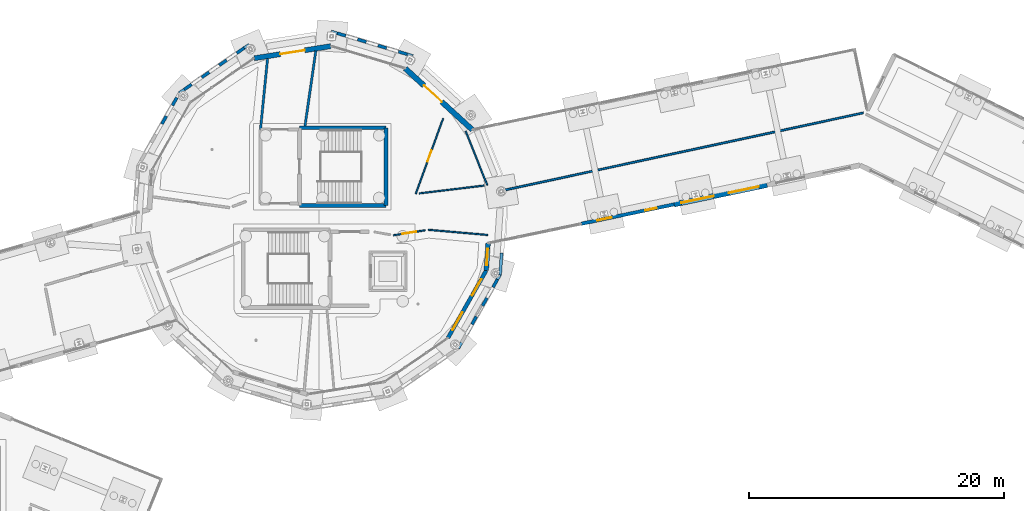
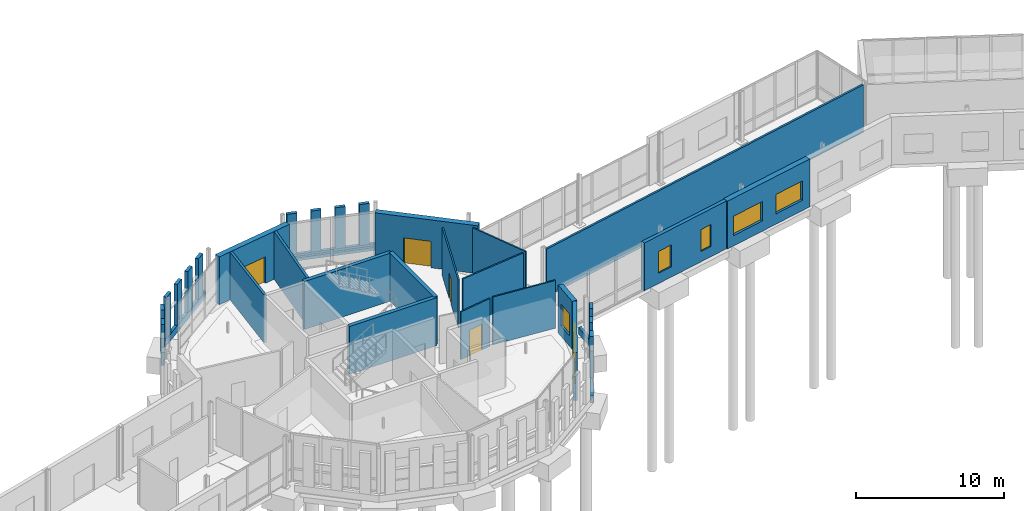
# One storey, part 87 of 113: 34 walls, 7 windows, 4 doors, 11 openings.
"""IFC4 building model written with IfcOpenShell, lengths in metres."""

from ifc_helpers import new_model, si_unit, direction, frame, frame_2d, origin, place, context, subcontext, project, spatial, rectangle, extrude, material, layer, layer_set, type_object, element, fill, save


model = new_model("IFC4")

# Units and contexts
model_context = context("Model", 3, precision=1e-05, world=origin(), true_north=direction((0.0, 1.0)))
body_context = subcontext(model_context, "Body", "Model", "MODEL_VIEW")
ifc_project = project(units=[si_unit("LENGTHUNIT", "METRE"), si_unit("AREAUNIT", "SQUARE_METRE"), si_unit("VOLUMEUNIT", "CUBIC_METRE"), si_unit("PLANEANGLEUNIT", "RADIAN"), si_unit("MASSUNIT", "GRAM", prefix="KILO")], contexts=[model_context])

# Site, building, storey
site_placement = place(None, origin())
site = spatial("IfcSite", under=ifc_project, at=site_placement, CompositionType="ELEMENT")
building_placement = place(site_placement, origin())
building = spatial("IfcBuilding", under=site, at=building_placement, Name="Wrenclough Park School", CompositionType="ELEMENT")
storey_placement = place(building_placement, origin())
storey = spatial("IfcBuildingStorey", under=building, at=storey_placement, Name="L00", CompositionType="ELEMENT", Elevation=0.0)

# Walls
ifc_material_1 = material(Name="Perforated open-bond Staffordshire and Manchester brick screen pier", Category="masonry")
ifc_layer_1 = layer(ifc_material_1, 0.2451171875)
ifc_layer_set_1 = layer_set([ifc_layer_1], Name="Perforated open-bond Staffordshire and Manchester brick screen pier")
wall_type_1 = type_object("IfcWallType", Name="ENV-BS-PR245", PredefinedType="ELEMENTEDWALL", material=ifc_layer_set_1)
for number, where, z_axis, x_axis, name in (
    (1, (89.88720703125, 121.512939453125, 0.550048828125), (0.0, 0.0, 1.0), (-0.957730379015, 0.287667379297, 0.0), "D4 L00 perforated brick screen pier 0105"),
    (2, (88.288818359375, 121.992919921875, 0.550048828125), (0.0, 0.0, 1.0), (-0.957730379015, 0.287667379297, 0.0), "D4 L00 perforated brick screen pier 0106"),
    (3, (86.6904296875, 122.472900390625, 0.550048828125), (0.0, 0.0, 1.0), (-0.957826285221, 0.287347885566, 0.0), "D4 L00 perforated brick screen pier 0107"),
    (4, (85.092041015625, 122.952880859375, 0.550048828125), (0.0, 0.0, 1.0), (-0.957826285221, 0.287347885566, 0.0), "D4 L00 perforated brick screen pier 0108"),
    (5, (77.120361328125, 121.998046875, 0.550048828125), (0.0, 0.0, 1.0), (-0.822004061083, -0.569481627064, 0.0), "D4 L00 perforated brick screen pier 0109"),
    (6, (75.748291015625, 121.047607421875, 0.550048828125), (0.0, 0.0, 1.0), (-0.822004061083, -0.569481627064, 0.0), "D4 L00 perforated brick screen pier 0110"),
):
    element("IfcWall", number, at=place(storey_placement, frame(where, z_axis=z_axis, x_axis=x_axis)), inside=storey, type_object=wall_type_1, Name=name, PredefinedType="ELEMENTEDWALL", context=body_context, shape_type="SweptSolid", body=[
        extrude(rectangle(XDim=0.700927734375, YDim=0.2451171875, at=frame_2d((0.3505859375, 0.0))), origin(), (0.0, 0.0, 1.0), 3.389892578125),
    ])
wall_1_placement = place(storey_placement, frame((74.376708984375, 120.097412109375, 0.550048828125), z_axis=(0.0, 0.0, 1.0), x_axis=(-0.821953993254, -0.569553889438, 0.0)))
element("IfcWall", 7, at=wall_1_placement, inside=storey, type_object=wall_type_1, Name="D4 L00 perforated brick screen pier 0111", PredefinedType="ELEMENTEDWALL", context=body_context, shape_type="SweptSolid", body=[
    extrude(rectangle(XDim=0.701171875, YDim=0.2451171875, at=frame_2d((0.3505859375, 0.0))), origin(), (0.0, 0.0, 1.0), 3.389892578125),
])
for number, where, z_axis, x_axis, name in (
    (8, (73.004638671875, 119.14697265625, 0.550048828125), (0.0, 0.0, 1.0), (-0.822004061083, -0.569481627064, 0.0), "D4 L00 perforated brick screen pier 0112"),
    (9, (71.845947265625, 118.1103515625, 0.550048828125), (0.0, 0.0, 1.0), (-0.493548557981, -0.869718242257, 0.0), "D4 L00 perforated brick screen pier 0113"),
    (10, (71.022216796875, 116.658935546875, 0.550048828125), (0.0, 0.0, 1.0), (-0.49328502852, -0.869867737439, 0.0), "D4 L00 perforated brick screen pier 0114"),
    (11, (94.977783203125, 100.341064453125, 0.550048828125), (0.0, 0.0, 1.0), (0.49328502852, 0.869867737439, 0.0), "D4 L00 perforated brick screen pier 0135"),
    (12, (95.80126953125, 101.792724609375, 0.550048828125), (0.0, 0.0, 1.0), (0.493548557981, 0.869718242257, 0.0), "D4 L00 perforated brick screen pier 0136"),
):
    element("IfcWall", number, at=place(storey_placement, frame(where, z_axis=z_axis, x_axis=x_axis)), inside=storey, type_object=wall_type_1, Name=name, PredefinedType="ELEMENTEDWALL", context=body_context, shape_type="SweptSolid", body=[
        extrude(rectangle(XDim=0.700927734375, YDim=0.2451171875, at=frame_2d((0.3505859375, 0.0))), origin(), (0.0, 0.0, 1.0), 3.389892578125),
    ])
wall_2_placement = place(storey_placement, frame((96.625, 103.244140625, 0.550048828125), z_axis=(0.0, 0.0, 1.0), x_axis=(0.49339908657, 0.869803047461, 0.0)))
element("IfcWall", 13, at=wall_2_placement, inside=storey, type_object=wall_type_1, Name="D4 L00 perforated brick screen pier 0137", PredefinedType="ELEMENTEDWALL", context=body_context, shape_type="SweptSolid", body=[
    extrude(rectangle(XDim=0.701171875, YDim=0.2451171875, at=frame_2d((0.3505859375, 0.0))), origin(), (0.0, 0.0, 1.0), 3.389892578125),
])
ifc_material_2 = material(Name="Open-bond Manchester multi-stock brick spandrel screen", Category="masonry")
ifc_layer_2 = layer(ifc_material_2, 0.22509765625)
ifc_layer_set_2 = layer_set([ifc_layer_2], Name="Open-bond Manchester multi-stock brick spandrel screen")
wall_type_2 = type_object("IfcWallType", Name="ENV-BS-SP225", PredefinedType="ELEMENTEDWALL", material=ifc_layer_set_2)
for number, where, z_axis, x_axis, name in (
    (14, (90.350830078125, 121.373779296875, 0.0), (0.0, 0.0, 1.0), (-0.957749751871, 0.287602873404, 0.0), "D4 L00 open-bond brick screen spandrel 0028"),
    (15, (77.51806640625, 122.273681640625, 0.0), (0.0, 0.0, 1.0), (-0.822009139105, -0.56947429725, 0.0), "D4 L00 open-bond brick screen spandrel 0029"),
):
    element("IfcWall", number, at=place(storey_placement, frame(where, z_axis=z_axis, x_axis=x_axis)), inside=storey, type_object=wall_type_2, Name=name, PredefinedType="ELEMENTEDWALL", context=body_context, shape_type="SweptSolid", body=[
        extrude(rectangle(XDim=6.675537109375, YDim=0.22509765625, at=frame_2d((3.337890625, 0.0))), origin(), (0.0, 0.0, 1.0), 0.550048828125),
    ])
wall_3_placement = place(storey_placement, frame((93.915283203125, 98.46875, 0.0), z_axis=(0.0, 0.0, 1.0), x_axis=(0.493497861667, 0.869747009498, 0.0)))
element("IfcWall", 16, at=wall_3_placement, inside=storey, type_object=wall_type_2, Name="D4 L00 open-bond brick screen spandrel 0036", PredefinedType="ELEMENTEDWALL", context=body_context, shape_type="SweptSolid", body=[
    extrude(rectangle(XDim=6.67578125, YDim=0.22509765625, at=frame_2d((3.337890625, 0.0))), origin(), (0.0, 0.0, 1.0), 0.550048828125),
])
wall_4_placement = place(storey_placement, frame((97.186767578125, 104.197998046875, 0.0), z_axis=(0.0, 0.0, 1.0), x_axis=(0.067258320943, 0.997735595368, 0.0)))
element("IfcWall", 17, at=wall_4_placement, inside=storey, type_object=wall_type_2, Name="D4 L00 open-bond brick screen spandrel 0037", PredefinedType="ELEMENTEDWALL", context=body_context, shape_type="SweptSolid", body=[
    extrude(rectangle(XDim=1.7314453125, YDim=0.22509765625, at=frame_2d((0.86572265625, 0.0))), origin(), (0.0, 0.0, 1.0), 0.550048828125),
])

# Wall, openings, windows
ifc_material_3 = material(Name="Link wing brick-faced cavity wall Concrete C32/40", Category="masonry")
ifc_layer_3 = layer(ifc_material_3, 0.27490234375)
ifc_layer_set_3 = layer_set([ifc_layer_3], Name="Link wing brick-faced cavity wall Concrete C32/40")
wall_type_3 = type_object("IfcWallType", Name="ENV-EW-275", PredefinedType="SOLIDWALL", material=ifc_layer_set_3)
wall_5_placement = place(storey_placement, frame((110.822021484375, 109.74609375, 0.0), z_axis=(0.0, 0.0, 1.0), x_axis=(-0.978794293799, -0.20484562584, 0.0)))
wall_5 = element("IfcWall", 18, at=wall_5_placement, inside=storey, type_object=wall_type_3, Name="L00 insulated brick external wall 0062", PredefinedType="SOLIDWALL", context=body_context, shape_type="SweptSolid", body=[
    extrude(rectangle(XDim=7.44775390625, YDim=0.27490234375, at=frame_2d((3.723876953125, 0.0))), origin(), (0.0, 0.0, 1.0), 3.93994140625),
])
opening_1_placement = place(wall_5_placement, frame((1.411865234375, 0.0, 0.85009765625)))
opening_1 = element("IfcOpeningElement", 19, at=opening_1_placement, cuts=wall_5, Name="Opening WN-25", PredefinedType="OPENING", context=body_context, shape_type="SweptSolid", body=[
    extrude(rectangle(XDim=0.89990234375, YDim=1.800048828125, at=frame_2d((0.449951171875, 0.89990234375))), frame((0.0, 0.1474609375, 0.0), z_axis=(0.0, -1.0, 0.0), x_axis=(1.0, 0.0, 0.0)), (0.0, 0.0, 1.0), 0.294921875),
])
opening_2_placement = place(wall_5_placement, frame((5.0107421875, 0.0, 0.85009765625)))
opening_2 = element("IfcOpeningElement", 20, at=opening_2_placement, cuts=wall_5, Name="Opening WN-26", PredefinedType="OPENING", context=body_context, shape_type="SweptSolid", body=[
    extrude(rectangle(XDim=1.14990234375, YDim=1.800048828125, at=frame_2d((0.574951171875, 0.89990234375))), frame((0.0, 0.1474609375, 0.0), z_axis=(0.0, -1.0, 0.0), x_axis=(1.0, 0.0, 0.0)), (0.0, 0.0, 1.0), 0.294921875),
])
ifc_material_4 = material(Name="Thermally broken aluminium and double-glazed low-e glass", Category="aluminium")
window_type_1 = type_object("IfcWindowType", Name="ENV-WN-25", PartitioningType="SINGLE_PANEL", PredefinedType="WINDOW", material=ifc_material_4)
window_1_placement = place(opening_1_placement, origin())
window_1 = element("IfcWindow", 21, at=window_1_placement, inside=storey, type_object=window_type_1, Name="L00 scheduled facade window 0080", OverallHeight=1.800048828125, OverallWidth=0.89990234375, PartitioningType="SINGLE_PANEL", PredefinedType="WINDOW", context=body_context, shape_type="SweptSolid", body=[
    extrude(rectangle(XDim=0.89990234375, YDim=1.800048828125, at=frame_2d((0.449951171875, 0.89990234375))), frame((0.0, 0.030029296875, 0.0), z_axis=(0.0, -1.0, 0.0), x_axis=(1.0, 0.0, 0.0)), (0.0, 0.0, 1.0), 0.06005859375),
])
fill(opening_1, window_1)
window_type_2 = type_object("IfcWindowType", Name="ENV-WN-26", PartitioningType="SINGLE_PANEL", PredefinedType="WINDOW", material=ifc_material_4)
window_2_placement = place(opening_2_placement, origin())
window_2 = element("IfcWindow", 22, at=window_2_placement, inside=storey, type_object=window_type_2, Name="L00 scheduled facade window 0081", OverallHeight=1.800048828125, OverallWidth=1.14990234375, PartitioningType="SINGLE_PANEL", PredefinedType="WINDOW", context=body_context, shape_type="SweptSolid", body=[
    extrude(rectangle(XDim=1.14990234375, YDim=1.800048828125, at=frame_2d((0.574951171875, 0.89990234375))), frame((0.0, 0.030029296875, 0.0), z_axis=(0.0, -1.0, 0.0), x_axis=(1.0, 0.0, 0.0)), (0.0, 0.0, 1.0), 0.06005859375),
])
fill(opening_2, window_2)

ifc_material_5 = material(Name="Manchester multi-stock brick and Concrete C32/40 inner leaf", Category="masonry")
ifc_layer_4 = layer(ifc_material_5, 0.300048828125)
ifc_layer_set_4 = layer_set([ifc_layer_4], Name="Manchester multi-stock brick and Concrete C32/40 inner leaf")
wall_type_4 = type_object("IfcWallType", Name="ENV-EW-300", PredefinedType="SOLIDWALL", material=ifc_layer_set_4)
wall_6_placement = place(storey_placement, frame((96.09912109375, 104.566650390625, 0.0), z_axis=(0.0, 0.0, 1.0), x_axis=(-0.49349318979, -0.869749660322, 0.0)))
wall_6 = element("IfcWall", 23, at=wall_6_placement, inside=storey, type_object=wall_type_4, Name="L00 insulated brick external wall 0064", PredefinedType="SOLIDWALL", context=body_context, shape_type="SweptSolid", body=[
    extrude(rectangle(XDim=6.0869140625, YDim=0.300048828125, at=frame_2d((3.04345703125, 0.0))), origin(), (0.0, 0.0, 1.0), 3.93994140625),
])
opening_3_placement = place(wall_6_placement, frame((0.796875, 0.0, 0.85009765625)))
opening_3 = element("IfcOpeningElement", 24, at=opening_3_placement, cuts=wall_6, Name="Opening WN-28", PredefinedType="OPENING", context=body_context, shape_type="SweptSolid", body=[
    extrude(rectangle(XDim=1.449951171875, YDim=1.800048828125, at=frame_2d((0.72509765625, 0.89990234375))), frame((0.0, 0.159912109375, 0.0), z_axis=(0.0, -1.0, 0.0), x_axis=(1.0, 0.0, 0.0)), (0.0, 0.0, 1.0), 0.320068359375),
])
opening_4_placement = place(wall_6_placement, frame((3.765380859375, 0.0, 0.85009765625)))
opening_4 = element("IfcOpeningElement", 25, at=opening_4_placement, cuts=wall_6, Name="Opening WN-29", PredefinedType="OPENING", context=body_context, shape_type="SweptSolid", body=[
    extrude(rectangle(XDim=1.60009765625, YDim=1.800048828125, at=frame_2d((0.800048828125, 0.89990234375))), frame((0.0, 0.159912109375, 0.0), z_axis=(0.0, -1.0, 0.0), x_axis=(1.0, 0.0, 0.0)), (0.0, 0.0, 1.0), 0.320068359375),
])
window_type_3 = type_object("IfcWindowType", Name="ENV-WN-28", PartitioningType="SINGLE_PANEL", PredefinedType="WINDOW", material=ifc_material_4)
window_3_placement = place(opening_3_placement, origin())
window_3 = element("IfcWindow", 26, at=window_3_placement, inside=storey, type_object=window_type_3, Name="L00 scheduled facade window 0083", OverallHeight=1.800048828125, OverallWidth=1.449951171875, PartitioningType="SINGLE_PANEL", PredefinedType="WINDOW", context=body_context, shape_type="SweptSolid", body=[
    extrude(rectangle(XDim=1.449951171875, YDim=1.800048828125, at=frame_2d((0.72509765625, 0.89990234375))), frame((0.0, 0.030029296875, 0.0), z_axis=(0.0, -1.0, 0.0), x_axis=(1.0, 0.0, 0.0)), (0.0, 0.0, 1.0), 0.06005859375),
])
fill(opening_3, window_3)
window_type_4 = type_object("IfcWindowType", Name="ENV-WN-29", PartitioningType="DOUBLE_PANEL_VERTICAL", PredefinedType="WINDOW", material=ifc_material_4)
window_4_placement = place(opening_4_placement, origin())
window_4 = element("IfcWindow", 27, at=window_4_placement, inside=storey, type_object=window_type_4, Name="L00 scheduled facade window 0084", OverallHeight=1.800048828125, OverallWidth=1.60009765625, PartitioningType="SINGLE_PANEL", PredefinedType="WINDOW", context=body_context, shape_type="SweptSolid", body=[
    extrude(rectangle(XDim=1.60009765625, YDim=1.800048828125, at=frame_2d((0.800048828125, 0.89990234375))), frame((0.0, 0.030029296875, 0.0), z_axis=(0.0, -1.0, 0.0), x_axis=(1.0, 0.0, 0.0)), (0.0, 0.0, 1.0), 0.06005859375),
])
fill(opening_4, window_4)

# Wall, opening, window
ifc_material_6 = material(Name="Faceted courtyard brick-cavity wall Concrete C35/45", Category="masonry")
ifc_layer_5 = layer(ifc_material_6, 0.364990234375)
ifc_layer_set_5 = layer_set([ifc_layer_5], Name="Faceted courtyard brick-cavity wall Concrete C35/45")
wall_type_5 = type_object("IfcWallType", Name="ENV-EW-365", PredefinedType="SOLIDWALL", material=ifc_layer_set_5)
wall_7_placement = place(storey_placement, frame((96.24267578125, 106.694580078125, 0.0), z_axis=(0.0, 0.0, 1.0), x_axis=(-0.067309145793, -0.997732167915, 0.0)))
wall_7 = element("IfcWall", 28, at=wall_7_placement, inside=storey, type_object=wall_type_5, Name="L00 insulated brick external wall 0063", PredefinedType="SOLIDWALL", context=body_context, shape_type="SweptSolid", body=[
    extrude(rectangle(XDim=2.1328125, YDim=0.364990234375, at=frame_2d((1.06640625, 0.0))), origin(), (0.0, 0.0, 1.0), 3.93994140625),
])
opening_5_placement = place(wall_7_placement, frame((0.41650390625, 0.0, 0.85009765625)))
opening_5 = element("IfcOpeningElement", 29, at=opening_5_placement, cuts=wall_7, Name="Opening WN-27", PredefinedType="OPENING", context=body_context, shape_type="SweptSolid", body=[
    extrude(rectangle(XDim=1.300048828125, YDim=1.800048828125, at=frame_2d((0.64990234375, 0.89990234375))), frame((0.0, 0.1923828125, 0.0), z_axis=(0.0, -1.0, 0.0), x_axis=(1.0, 0.0, 0.0)), (0.0, 0.0, 1.0), 0.385009765625),
])
window_type_5 = type_object("IfcWindowType", Name="ENV-WN-27", PartitioningType="SINGLE_PANEL", PredefinedType="WINDOW", material=ifc_material_4)
window_5_placement = place(opening_5_placement, origin())
window_5 = element("IfcWindow", 30, at=window_5_placement, inside=storey, type_object=window_type_5, Name="L00 scheduled facade window 0082", OverallHeight=1.800048828125, OverallWidth=1.300048828125, PartitioningType="SINGLE_PANEL", PredefinedType="WINDOW", context=body_context, shape_type="SweptSolid", body=[
    extrude(rectangle(XDim=1.300048828125, YDim=1.800048828125, at=frame_2d((0.64990234375, 0.89990234375))), frame((0.0, 0.030029296875, 0.0), z_axis=(0.0, -1.0, 0.0), x_axis=(1.0, 0.0, 0.0)), (0.0, 0.0, 1.0), 0.06005859375),
])
fill(opening_5, window_5)

# Wall, opening, door
ifc_material_7 = material(Name="Staffordshire blue-grey brick and Concrete C40/50 acoustic leaf", Category="masonry")
ifc_layer_6 = layer(ifc_material_7, 0.39990234375)
ifc_layer_set_6 = layer_set([ifc_layer_6], Name="Staffordshire blue-grey brick and Concrete C40/50 acoustic leaf")
wall_type_6 = type_object("IfcWallType", Name="ENV-EW-400", PredefinedType="SOLIDWALL", material=ifc_layer_set_6)
wall_8_placement = place(storey_placement, frame((77.907958984375, 121.19384765625, 0.0), z_axis=(0.0, 0.0, 1.0), x_axis=(0.987690665759, 0.156419783824, 0.0)))
wall_8 = element("IfcWall", 31, at=wall_8_placement, inside=storey, type_object=wall_type_6, Name="L00 insulated brick external wall 0020", PredefinedType="SOLIDWALL", context=body_context, shape_type="SweptSolid", body=[
    extrude(rectangle(XDim=6.087158203125, YDim=0.39990234375, at=frame_2d((3.04345703125, 0.0))), origin(), (0.0, 0.0, 1.0), 3.93994140625),
])
opening_6_placement = place(wall_8_placement, frame((2.08349609375, 0.0, 0.0)))
opening_6 = element("IfcOpeningElement", 32, at=opening_6_placement, cuts=wall_8, Name="Opening EX-11", PredefinedType="OPENING", context=body_context, shape_type="SweptSolid", body=[
    extrude(rectangle(XDim=1.919921875, YDim=2.179931640625, at=frame_2d((0.9599609375, 1.08984375))), frame((0.0, 0.2099609375, 0.0), z_axis=(0.0, -1.0, 0.0), x_axis=(1.0, 0.0, 0.0)), (0.0, 0.0, 1.0), 0.419921875),
])
ifc_material_8 = material(Name="Thermally broken powder-coated aluminium and laminated safety glass", Category="aluminium")
door_type_1 = type_object("IfcDoorType", Name="DR-EX192", OperationType="NOTDEFINED", PredefinedType="DOOR", material=ifc_material_8)
door_1_placement = place(opening_6_placement, origin())
door_1 = element("IfcDoor", 33, at=door_1_placement, inside=storey, type_object=door_type_1, Name="Pedestrian final exit door EX-11", OperationType="DOUBLE_DOOR_SINGLE_SWING", OverallHeight=2.179931640625, OverallWidth=1.919921875, PredefinedType="DOOR", context=body_context, shape_type="SweptSolid", body=[
    extrude(rectangle(XDim=1.919921875, YDim=2.179931640625, at=frame_2d((0.9599609375, 1.08984375))), frame((0.0, 0.02490234375, 0.0), z_axis=(0.0, -1.0, 0.0), x_axis=(1.0, 0.0, 0.0)), (0.0, 0.0, 1.0), 0.050048828125),
])
fill(opening_6, door_1)

ifc_material_9 = material(Name="Insulated brick-clad sports hall wall Concrete C40/50", Category="masonry")
ifc_layer_7 = layer(ifc_material_9, 0.425048828125)
ifc_layer_set_7 = layer_set([ifc_layer_7], Name="Insulated brick-clad sports hall wall Concrete C40/50")
wall_type_7 = type_object("IfcWallType", Name="ENV-EW-425", PredefinedType="SOLIDWALL", material=ifc_layer_set_7)
wall_9_placement = place(storey_placement, frame((89.74951171875, 120.3955078125, 0.0), z_axis=(0.0, 0.0, 1.0), x_axis=(0.738102453677, -0.674688645136, 0.0)))
wall_9 = element("IfcWall", 34, at=wall_9_placement, inside=storey, type_object=wall_type_7, Name="L00 insulated brick external wall 0021", PredefinedType="SOLIDWALL", context=body_context, shape_type="SweptSolid", body=[
    extrude(rectangle(XDim=7.122314453125, YDim=0.425048828125, at=frame_2d((3.56103515625, 0.0))), origin(), (0.0, 0.0, 1.0), 3.93994140625),
])
opening_7_placement = place(wall_9_placement, frame((1.9921875, 0.0, 0.0)))
opening_7 = element("IfcOpeningElement", 35, at=opening_7_placement, cuts=wall_9, Name="Opening EX-12", PredefinedType="OPENING", context=body_context, shape_type="SweptSolid", body=[
    extrude(rectangle(XDim=1.8798828125, YDim=2.179931640625, at=frame_2d((0.93994140625, 1.08984375))), frame((0.0, 0.222412109375, 0.0), z_axis=(0.0, -1.0, 0.0), x_axis=(1.0, 0.0, 0.0)), (0.0, 0.0, 1.0), 0.445068359375),
])
door_type_2 = type_object("IfcDoorType", Name="DR-EX188", OperationType="NOTDEFINED", PredefinedType="DOOR", material=ifc_material_8)
door_2_placement = place(opening_7_placement, origin())
door_2 = element("IfcDoor", 36, at=door_2_placement, inside=storey, type_object=door_type_2, Name="Pedestrian final exit door EX-12", OperationType="DOUBLE_DOOR_SINGLE_SWING", OverallHeight=2.179931640625, OverallWidth=1.8798828125, PredefinedType="DOOR", context=body_context, shape_type="SweptSolid", body=[
    extrude(rectangle(XDim=1.8798828125, YDim=2.179931640625, at=frame_2d((0.93994140625, 1.08984375))), frame((0.0, 0.02490234375, 0.0), z_axis=(0.0, -1.0, 0.0), x_axis=(1.0, 0.0, 0.0)), (0.0, 0.0, 1.0), 0.050048828125),
])
fill(opening_7, door_2)

# Wall, openings, windows
wall_10_placement = place(storey_placement, frame((118.11181640625, 111.27197265625, 0.0), z_axis=(0.0, 0.0, 1.0), x_axis=(-0.978787720784, -0.20487703054, 0.0)))
wall_10 = element("IfcWall", 37, at=wall_10_placement, inside=storey, type_object=wall_type_7, Name="L00 insulated brick external wall 0061", PredefinedType="SOLIDWALL", context=body_context, shape_type="SweptSolid", body=[
    extrude(rectangle(XDim=7.44775390625, YDim=0.425048828125, at=frame_2d((3.723876953125, 0.0))), origin(), (0.0, 0.0, 1.0), 3.93994140625),
])
opening_8_placement = place(wall_10_placement, frame((0.661865234375, 0.0, 0.85009765625)))
opening_8 = element("IfcOpeningElement", 38, at=opening_8_placement, cuts=wall_10, Name="Opening WN-23", PredefinedType="OPENING", context=body_context, shape_type="SweptSolid", body=[
    extrude(rectangle(XDim=2.39990234375, YDim=1.60009765625, at=frame_2d((1.199951171875, 0.800048828125))), frame((0.0, 0.222412109375, 0.0), z_axis=(0.0, -1.0, 0.0), x_axis=(1.0, 0.0, 0.0)), (0.0, 0.0, 1.0), 0.445068359375),
])
opening_9_placement = place(wall_10_placement, frame((4.285888671875, 0.0, 0.85009765625)))
opening_9 = element("IfcOpeningElement", 39, at=opening_9_placement, cuts=wall_10, Name="Opening WN-24", PredefinedType="OPENING", context=body_context, shape_type="SweptSolid", body=[
    extrude(rectangle(XDim=2.60009765625, YDim=1.60009765625, at=frame_2d((1.300048828125, 0.800048828125))), frame((0.0, 0.222412109375, 0.0), z_axis=(0.0, -1.0, 0.0), x_axis=(1.0, 0.0, 0.0)), (0.0, 0.0, 1.0), 0.445068359375),
])
window_type_6 = type_object("IfcWindowType", Name="ENV-WN-23", PartitioningType="DOUBLE_PANEL_VERTICAL", PredefinedType="WINDOW", material=ifc_material_4)
window_6_placement = place(opening_8_placement, origin())
window_6 = element("IfcWindow", 40, at=window_6_placement, inside=storey, type_object=window_type_6, Name="L00 scheduled facade window 0078", OverallHeight=1.60009765625, OverallWidth=2.39990234375, PartitioningType="SINGLE_PANEL", PredefinedType="WINDOW", context=body_context, shape_type="SweptSolid", body=[
    extrude(rectangle(XDim=2.39990234375, YDim=1.60009765625, at=frame_2d((1.199951171875, 0.800048828125))), frame((0.0, 0.030029296875, 0.0), z_axis=(0.0, -1.0, 0.0), x_axis=(1.0, 0.0, 0.0)), (0.0, 0.0, 1.0), 0.06005859375),
])
fill(opening_8, window_6)
window_type_7 = type_object("IfcWindowType", Name="ENV-WN-24", PartitioningType="DOUBLE_PANEL_VERTICAL", PredefinedType="WINDOW", material=ifc_material_4)
window_7_placement = place(opening_9_placement, origin())
window_7 = element("IfcWindow", 41, at=window_7_placement, inside=storey, type_object=window_type_7, Name="L00 scheduled facade window 0079", OverallHeight=1.60009765625, OverallWidth=2.60009765625, PartitioningType="SINGLE_PANEL", PredefinedType="WINDOW", context=body_context, shape_type="SweptSolid", body=[
    extrude(rectangle(XDim=2.60009765625, YDim=1.60009765625, at=frame_2d((1.300048828125, 0.800048828125))), frame((0.0, 0.030029296875, 0.0), z_axis=(0.0, -1.0, 0.0), x_axis=(1.0, 0.0, 0.0)), (0.0, 0.0, 1.0), 0.06005859375),
])
fill(opening_9, window_7)

# Walls
ifc_material_10 = material(Name="Concrete C40/50", Category="concrete")
ifc_layer_8 = layer(ifc_material_10, 0.2900390625)
ifc_layer_set_8 = layer_set([ifc_layer_8], Name="Concrete C40/50")
wall_type_8 = type_object("IfcWallType", Name="INT-CW-290", PredefinedType="SHEAR", material=ifc_layer_set_8)
wall_11_placement = place(storey_placement, frame((81.455078125, 109.655029296875, 0.0), z_axis=(0.0, 0.0, 1.0), x_axis=(1.0, 0.0, 0.0)))
element("IfcWall", 42, at=wall_11_placement, inside=storey, type_object=wall_type_8, Name="Core C4B L00 south shear wall", PredefinedType="SHEAR", context=body_context, shape_type="SweptSolid", body=[
    extrude(rectangle(XDim=6.7900390625, YDim=0.2900390625, at=frame_2d((3.39501953125, 0.0))), origin(), (0.0, 0.0, 1.0), 3.949951171875),
])
wall_12_placement = place(storey_placement, frame((88.2451171875, 109.655029296875, 0.0), z_axis=(0.0, 0.0, 1.0), x_axis=(0.0, 1.0, 0.0)))
element("IfcWall", 43, at=wall_12_placement, inside=storey, type_object=wall_type_8, Name="Core C4B L00 east shear wall", PredefinedType="SHEAR", context=body_context, shape_type="SweptSolid", body=[
    extrude(rectangle(XDim=6.090087890625, YDim=0.2900390625, at=frame_2d((3.044921875, 0.0))), origin(), (0.0, 0.0, 1.0), 3.949951171875),
])
wall_13_placement = place(storey_placement, frame((88.2451171875, 115.7451171875, 0.0), z_axis=(0.0, 0.0, 1.0), x_axis=(-1.0, 0.0, 0.0)))
element("IfcWall", 44, at=wall_13_placement, inside=storey, type_object=wall_type_8, Name="Core C4B L00 north shear wall", PredefinedType="SHEAR", context=body_context, shape_type="SweptSolid", body=[
    extrude(rectangle(XDim=6.7900390625, YDim=0.2900390625, at=frame_2d((3.39501953125, 0.0))), origin(), (0.0, 0.0, 1.0), 3.949951171875),
])
ifc_material_11 = material(Name="Lightweight fire-rated store partition", Category="gypsum")
ifc_layer_9 = layer(ifc_material_11, 0.110107421875)
ifc_layer_set_9 = layer_set([ifc_layer_9], Name="Lightweight fire-rated store partition")
wall_type_9 = type_object("IfcWallType", Name="INT-PW-110", PredefinedType="PARTITIONING", material=ifc_layer_set_9)
wall_14_placement = place(storey_placement, frame((96.206298828125, 107.344482421875, 0.0), z_axis=(0.0, 0.0, 1.0), x_axis=(-0.996193377134, 0.087170840051, 0.0)))
element("IfcWall", 45, at=wall_14_placement, inside=storey, type_object=wall_type_9, Name="L00 internal partition 0109", PredefinedType="PARTITIONING", context=body_context, shape_type="SweptSolid", body=[
    extrude(rectangle(XDim=4.671630859375, YDim=0.110107421875, at=frame_2d((2.3359375, 0.0))), origin(), (0.0, 0.0, 1.0), 3.929931640625),
])

# Wall, opening, door
wall_15_placement = place(storey_placement, frame((91.305908203125, 107.71240234375, 0.0), z_axis=(0.0, 0.0, 1.0), x_axis=(-0.987549736028, -0.157307084615, 0.0)))
wall_15 = element("IfcWall", 46, at=wall_15_placement, inside=storey, type_object=wall_type_9, Name="L00 internal partition 0110", PredefinedType="PARTITIONING", context=body_context, shape_type="SweptSolid", body=[
    extrude(rectangle(XDim=2.508056640625, YDim=0.110107421875, at=frame_2d((1.25390625, 0.0))), origin(), (0.0, 0.0, 1.0), 3.929931640625),
])
opening_10_placement = place(wall_15_placement, frame((0.714111328125, 0.0, 0.0)))
opening_10 = element("IfcOpeningElement", 47, at=opening_10_placement, cuts=wall_15, Name="Opening DR-L00-015", PredefinedType="OPENING", context=body_context, shape_type="SweptSolid", body=[
    extrude(rectangle(XDim=1.080078125, YDim=2.1201171875, at=frame_2d((0.5400390625, 1.06005859375))), frame((0.0, 0.06494140625, 0.0), z_axis=(0.0, -1.0, 0.0), x_axis=(1.0, 0.0, 0.0)), (0.0, 0.0, 1.0), 0.130126953125),
])
ifc_material_12 = material(Name="Sixth-form seminar room door assembly", Category="wood")
door_type_3 = type_object("IfcDoorType", Name="INT-DR-CL108", OperationType="NOTDEFINED", PredefinedType="DOOR", material=ifc_material_12)
door_3_placement = place(opening_10_placement, origin())
door_3 = element("IfcDoor", 48, at=door_3_placement, inside=storey, type_object=door_type_3, Name="Mathematics Classroom 1 door DR-L00-015", OperationType="SINGLE_SWING_RIGHT", OverallHeight=2.1201171875, OverallWidth=1.080078125, PredefinedType="DOOR", context=body_context, shape_type="SweptSolid", body=[
    extrude(rectangle(XDim=1.080078125, YDim=2.1201171875, at=frame_2d((0.5400390625, 1.06005859375))), frame((0.0, 0.02490234375, 0.0), z_axis=(0.0, -1.0, 0.0), x_axis=(1.0, 0.0, 0.0)), (0.0, 0.0, 1.0), 0.050048828125),
])
fill(opening_10, door_3)

# Wall
wall_16_placement = place(storey_placement, frame((96.178955078125, 111.246337890625, 0.0), z_axis=(0.0, 0.0, 1.0), x_axis=(-0.3723049963, 0.928110440481, 0.0)))
element("IfcWall", 49, at=wall_16_placement, inside=storey, type_object=wall_type_9, Name="L00 internal partition 0112", PredefinedType="PARTITIONING", context=body_context, shape_type="SweptSolid", body=[
    extrude(rectangle(XDim=4.556884765625, YDim=0.110107421875, at=frame_2d((2.2783203125, 0.0))), origin(), (0.0, 0.0, 1.0), 3.929931640625),
])

# Wall, opening, door
wall_17_placement = place(storey_placement, frame((92.728515625, 116.493408203125, 0.0), z_axis=(0.0, 0.0, 1.0), x_axis=(-0.342719209364, -0.939437887001, 0.0)))
wall_17 = element("IfcWall", 50, at=wall_17_placement, inside=storey, type_object=wall_type_9, Name="L00 internal partition 0113", PredefinedType="PARTITIONING", context=body_context, shape_type="SweptSolid", body=[
    extrude(rectangle(XDim=6.304443359375, YDim=0.110107421875, at=frame_2d((3.15234375, 0.0))), origin(), (0.0, 0.0, 1.0), 3.929931640625),
])
opening_11_placement = place(wall_17_placement, frame((2.692138671875, 0.0, 0.0)))
opening_11 = element("IfcOpeningElement", 51, at=opening_11_placement, cuts=wall_17, Name="Opening DR-L00-016", PredefinedType="OPENING", context=body_context, shape_type="SweptSolid", body=[
    extrude(rectangle(XDim=0.919921875, YDim=2.080078125, at=frame_2d((0.4599609375, 1.0400390625))), frame((0.0, 0.06494140625, 0.0), z_axis=(0.0, -1.0, 0.0), x_axis=(1.0, 0.0, 0.0)), (0.0, 0.0, 1.0), 0.130126953125),
])
ifc_material_13 = material(Name="Acoustic classroom single leaf vision door assembly", Category="wood")
door_type_4 = type_object("IfcDoorType", Name="INT-DR-CL092", OperationType="NOTDEFINED", PredefinedType="DOOR", material=ifc_material_13)
door_4_placement = place(opening_11_placement, origin())
door_4 = element("IfcDoor", 52, at=door_4_placement, inside=storey, type_object=door_type_4, Name="Languages Classroom 1 door DR-L00-016", OperationType="SINGLE_SWING_LEFT", OverallHeight=2.080078125, OverallWidth=0.919921875, PredefinedType="DOOR", context=body_context, shape_type="SweptSolid", body=[
    extrude(rectangle(XDim=0.919921875, YDim=2.080078125, at=frame_2d((0.4599609375, 1.0400390625))), frame((0.0, 0.02490234375, 0.0), z_axis=(0.0, -1.0, 0.0), x_axis=(1.0, 0.0, 0.0)), (0.0, 0.0, 1.0), 0.050048828125),
])
fill(opening_11, door_4)

# Walls
wall_18_placement = place(storey_placement, frame((90.84619140625, 110.6044921875, 0.0), z_axis=(0.0, 0.0, 1.0), x_axis=(0.992836787358, 0.119478507141, 0.0)))
element("IfcWall", 53, at=wall_18_placement, inside=storey, type_object=wall_type_9, Name="L00 internal partition 0114", PredefinedType="PARTITIONING", context=body_context, shape_type="SweptSolid", body=[
    extrude(rectangle(XDim=5.112548828125, YDim=0.110107421875, at=frame_2d((2.55615234375, 0.0))), origin(), (0.0, 0.0, 1.0), 3.929931640625),
])
ifc_material_14 = material(Name="Protected corridor partition", Category="gypsum")
ifc_layer_10 = layer(ifc_material_14, 0.14990234375)
ifc_layer_set_10 = layer_set([ifc_layer_10], Name="Protected corridor partition")
wall_type_10 = type_object("IfcWallType", Name="INT-PW-150", PredefinedType="PARTITIONING", material=ifc_layer_set_10)
wall_19_placement = place(storey_placement, frame((97.48388671875, 110.85302734375, 0.0), z_axis=(0.0, 0.0, 1.0), x_axis=(0.977610139687, 0.210424368315, 0.0)))
element("IfcWall", 54, at=wall_19_placement, inside=storey, type_object=wall_type_10, Name="L00 internal partition 0157", PredefinedType="PARTITIONING", context=body_context, shape_type="SweptSolid", body=[
    extrude(rectangle(XDim=28.807373046875, YDim=0.14990234375, at=frame_2d((14.40380859375, 0.0))), origin(), (0.0, 0.0, 1.0), 3.9150390625),
])
ifc_material_15 = material(Name="Laboratory fire and acoustic partition", Category="gypsum")
ifc_layer_11 = layer(ifc_material_15, 0.18505859375)
ifc_layer_set_11 = layer_set([ifc_layer_11], Name="Laboratory fire and acoustic partition")
wall_type_11 = type_object("IfcWallType", Name="INT-PW-185", PredefinedType="PARTITIONING", material=ifc_layer_set_11)
wall_20_placement = place(storey_placement, frame((78.95751953125, 121.175048828125, 0.0), z_axis=(0.0, 0.0, 1.0), x_axis=(-0.09949940956, -0.995037621147, 0.0)))
element("IfcWall", 55, at=wall_20_placement, inside=storey, type_object=wall_type_11, Name="L00 protected exit passageway EI 60 wall 0015", PredefinedType="PARTITIONING", context=body_context, shape_type="SweptSolid", body=[
    extrude(rectangle(XDim=5.609130859375, YDim=0.18505859375, at=frame_2d((2.8046875, 0.0))), origin(), (0.0, 0.0, 1.0), 3.929931640625),
])
wall_21_placement = place(storey_placement, frame((81.890380859375, 115.880126953125, 0.0), z_axis=(0.0, 0.0, 1.0), x_axis=(0.142471063504, 0.9897989675, 0.0)))
element("IfcWall", 56, at=wall_21_placement, inside=storey, type_object=wall_type_11, Name="L00 protected exit passageway EI 60 wall 0016", PredefinedType="PARTITIONING", context=body_context, shape_type="SweptSolid", body=[
    extrude(rectangle(XDim=5.958251953125, YDim=0.18505859375, at=frame_2d((2.97900390625, 0.0))), origin(), (0.0, 0.0, 1.0), 3.929931640625),
])

save(model, "model.ifc")
